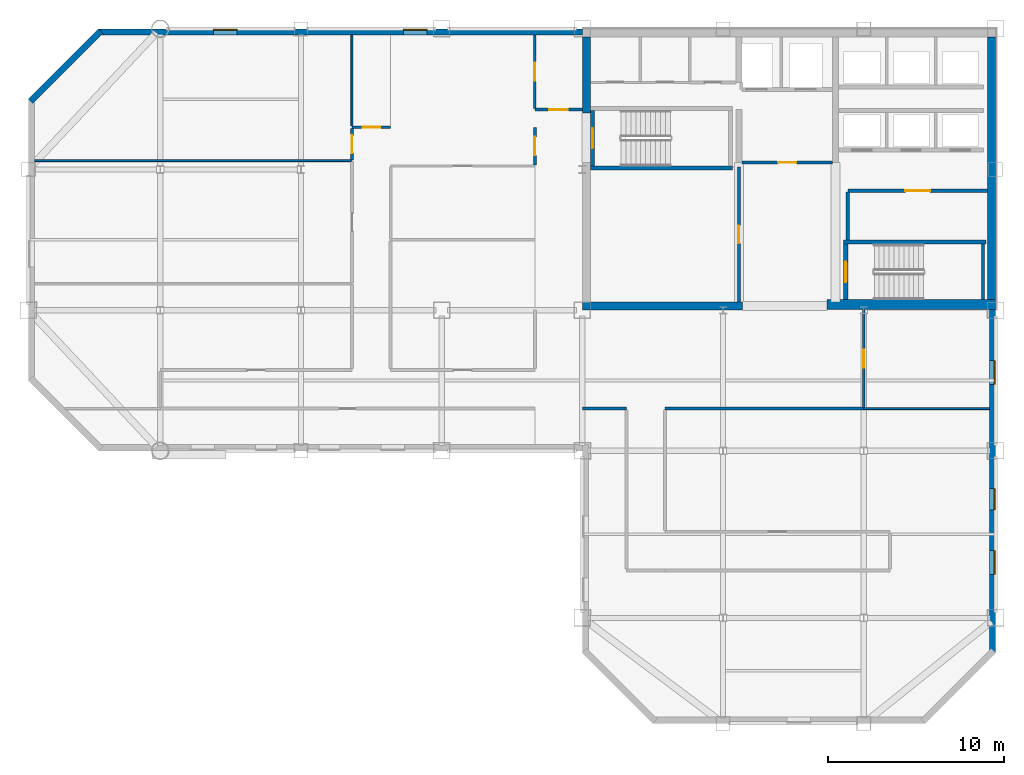
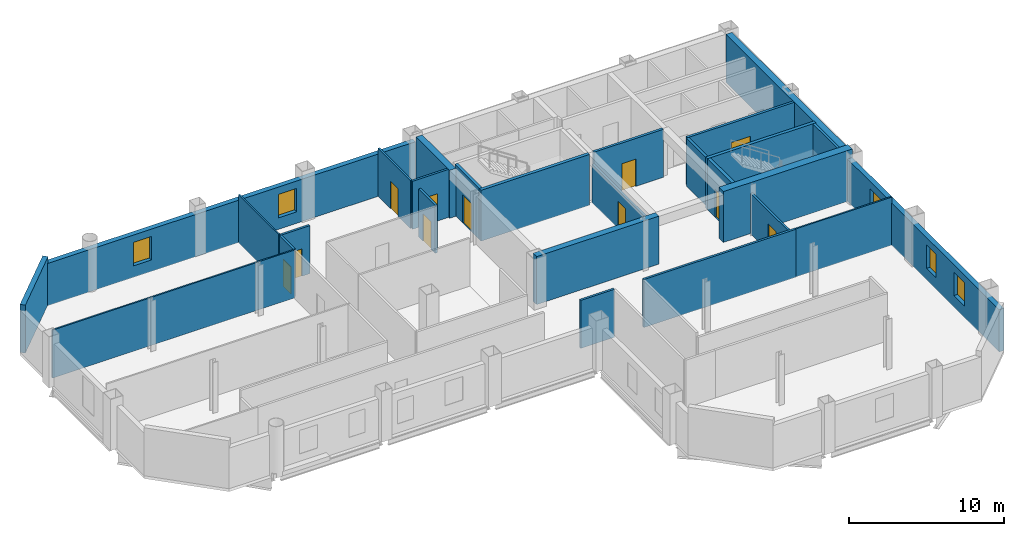
# One storey, part 5 of 10: 27 walls, 11 doors, 5 windows, 16 openings.
"""IFC4 building model written with IfcOpenShell, lengths in metres."""

from ifc_helpers import new_model, si_unit, direction, frame, frame_2d, origin, place, context, subcontext, project, spatial, rectangle, extrude, material, layer, layer_set, type_object, element, fill, save


model = new_model("IFC4")

# Units and contexts
model_context = context("Model", 3, precision=1e-05, world=origin(), true_north=direction((0.0, 1.0)))
body_context = subcontext(model_context, "Body", "Model", "MODEL_VIEW")
ifc_project = project(units=[si_unit("LENGTHUNIT", "METRE"), si_unit("AREAUNIT", "SQUARE_METRE"), si_unit("VOLUMEUNIT", "CUBIC_METRE"), si_unit("PLANEANGLEUNIT", "RADIAN"), si_unit("MASSUNIT", "GRAM", prefix="KILO")], contexts=[model_context])

# Site, building, storey
site_placement = place(None, origin())
site = spatial("IfcSite", under=ifc_project, at=site_placement, CompositionType="ELEMENT")
building_placement = place(site_placement, origin())
building = spatial("IfcBuilding", under=site, at=building_placement, Name="Qianrong Seaharbour Tower", CompositionType="ELEMENT")
storey_placement = place(building_placement, frame((0.0, 0.0, 253.800048828125)))
storey = spatial("IfcBuildingStorey", under=building, at=storey_placement, Name="L61", CompositionType="ELEMENT", Elevation=253.800048828125)

# Walls
ifc_material_1 = material(Name="Concrete C60/75", Category="concrete")
ifc_layer_1 = layer(ifc_material_1, 0.4599609375)
ifc_layer_set_1 = layer_set([ifc_layer_1], Name="Concrete C60/75")
wall_type_1 = type_object("IfcWallType", Name="WALL-CORE-460", PredefinedType="SHEAR", material=ifc_layer_set_1)
wall_1_placement = place(storey_placement, frame((63.77001953125, 36.320068359375, 0.0), z_axis=(0.0, 0.0, 1.0), x_axis=(0.0, 1.0, 0.0)))
element("IfcWall", 1, at=wall_1_placement, inside=storey, type_object=wall_type_1, Name="L61 East Core Shear Wall", PredefinedType="SHEAR", context=body_context, shape_type="SweptSolid", body=[
    extrude(rectangle(XDim=15.219970703125, YDim=0.4599609375, at=frame_2d((7.60986328125, 0.0))), origin(), (0.0, 0.0, 1.0), 3.77490234375),
])
wall_2_placement = place(storey_placement, frame((40.72998046875, 47.199951171875, 0.0), z_axis=(0.0, 0.0, 1.0), x_axis=(0.0, 1.0, 0.0)))
element("IfcWall", 2, at=wall_2_placement, inside=storey, type_object=wall_type_1, Name="L61 West Core Shear Wall North", PredefinedType="SHEAR", context=body_context, shape_type="SweptSolid", body=[
    extrude(rectangle(XDim=4.340087890625, YDim=0.4599609375, at=frame_2d((2.169921875, 0.0))), origin(), (0.0, 0.0, 1.0), 3.77490234375),
])
wall_3_placement = place(storey_placement, frame((40.5, 36.22998046875, 0.0), z_axis=(0.0, 0.0, 1.0), x_axis=(1.0, 0.0, 0.0)))
element("IfcWall", 3, at=wall_3_placement, inside=storey, type_object=wall_type_1, Name="L61 South Core Shear Wall S1", PredefinedType="SHEAR", context=body_context, shape_type="SweptSolid", body=[
    extrude(rectangle(XDim=9.10009765625, YDim=0.4599609375, at=frame_2d((4.550048828125, 0.0))), origin(), (0.0, 0.0, 1.0), 3.77490234375),
])
ifc_material_2 = material(Name="Concrete C70/85", Category="concrete")
ifc_layer_2 = layer(ifc_material_2, 0.580078125)
ifc_layer_set_2 = layer_set([ifc_layer_2], Name="Concrete C70/85")
wall_type_2 = type_object("IfcWallType", Name="WALL-CORE-580", PredefinedType="SHEAR", material=ifc_layer_set_2)
wall_4_placement = place(storey_placement, frame((54.39990234375, 36.320068359375, 0.0), z_axis=(0.0, 0.0, 1.0), x_axis=(1.0, 0.0, 0.0)))
element("IfcWall", 4, at=wall_4_placement, inside=storey, type_object=wall_type_2, Name="L61 South Core Shear Wall S3", PredefinedType="SHEAR", context=body_context, shape_type="SweptSolid", body=[
    extrude(rectangle(XDim=9.60009765625, YDim=0.580078125, at=frame_2d((4.800048828125, 0.0))), origin(), (0.0, 0.0, 1.0), 4.0),
])

# Wall, opening, door
ifc_material_3 = material(Name="Fire-rated acoustic gypsum board partition")
ifc_layer_3 = layer(ifc_material_3, 0.1650390625)
ifc_layer_set_3 = layer_set([ifc_layer_3], Name="Fire-rated acoustic gypsum board partition")
wall_type_3 = type_object("IfcWallType", Name="WALL-CORR-PART-165", PredefinedType="PARTITIONING", material=ifc_layer_set_3)
wall_5_placement = place(storey_placement, frame((37.800048828125, 47.39990234375, 0.0), z_axis=(0.0, 0.0, 1.0), x_axis=(1.0, 0.0, 0.0)))
wall_5 = element("IfcWall", 5, at=wall_5_placement, inside=storey, type_object=wall_type_3, Name="L61 Interior Partition Wall 001", PredefinedType="PARTITIONING", context=body_context, shape_type="SweptSolid", body=[
    extrude(rectangle(XDim=2.699951171875, YDim=0.1650390625, at=frame_2d((1.35009765625, 0.0))), origin(), (0.0, 0.0, 1.0), 3.77490234375),
])
opening_1_placement = place(wall_5_placement, frame((0.824951171875, 0.0, 0.0)))
opening_1 = element("IfcOpeningElement", 6, at=opening_1_placement, cuts=wall_5, Name="Opening DC-01", PredefinedType="OPENING", context=body_context, shape_type="SweptSolid", body=[
    extrude(rectangle(XDim=1.050048828125, YDim=2.14990234375, at=frame_2d((0.52490234375, 1.074951171875))), frame((0.0, 0.092529296875, 0.0), z_axis=(0.0, -1.0, 0.0), x_axis=(1.0, 0.0, 0.0)), (0.0, 0.0, 1.0), 0.18505859375),
])
ifc_material_4 = material(Name="Acoustic timber and galvanized steel fire door assembly", Category="steel")
door_type_1 = type_object("IfcDoorType", Name="DOOR-CORR-FD60-1050x2150", OperationType="NOTDEFINED", PredefinedType="DOOR", material=ifc_material_4)
door_1_placement = place(opening_1_placement, origin())
door_1 = element("IfcDoor", 7, at=door_1_placement, inside=storey, type_object=door_type_1, Name="L61 Smokeproof Stair Vestibule ST-1 Door", OperationType="SINGLE_SWING_RIGHT", OverallHeight=2.14990234375, OverallWidth=1.050048828125, PredefinedType="DOOR", context=body_context, shape_type="SweptSolid", body=[
    extrude(rectangle(XDim=1.050048828125, YDim=2.14990234375, at=frame_2d((0.52490234375, 1.074951171875))), frame((0.0, 0.02490234375, 0.0), z_axis=(0.0, -1.0, 0.0), x_axis=(1.0, 0.0, 0.0)), (0.0, 0.0, 1.0), 0.050048828125),
])
fill(opening_1, door_1)

wall_6_placement = place(storey_placement, frame((37.800048828125, 44.257080078125, 0.0), z_axis=(0.0, 0.0, 1.0), x_axis=(0.0, 1.0, 0.0)))
wall_6 = element("IfcWall", 8, at=wall_6_placement, inside=storey, type_object=wall_type_3, Name="L61 Interior Partition Wall 002", PredefinedType="PARTITIONING", context=body_context, shape_type="SweptSolid", body=[
    extrude(rectangle(XDim=2.142822265625, YDim=0.1650390625, at=frame_2d((1.0712890625, 0.0))), origin(), (0.0, 0.0, 1.0), 3.77490234375),
])
opening_2_placement = place(wall_6_placement, frame((0.54638671875, 0.0, 0.0)))
opening_2 = element("IfcOpeningElement", 9, at=opening_2_placement, cuts=wall_6, Name="Opening DC-01", PredefinedType="OPENING", context=body_context, shape_type="SweptSolid", body=[
    extrude(rectangle(XDim=1.050048828125, YDim=2.14990234375, at=frame_2d((0.52490234375, 1.074951171875))), frame((0.0, 0.092529296875, 0.0), z_axis=(0.0, -1.0, 0.0), x_axis=(1.0, 0.0, 0.0)), (0.0, 0.0, 1.0), 0.18505859375),
])
door_2_placement = place(opening_2_placement, origin())
door_2 = element("IfcDoor", 10, at=door_2_placement, inside=storey, type_object=door_type_1, Name="L61 Smokeproof Stair Vestibule ST-1 Door", OperationType="SINGLE_SWING_LEFT", OverallHeight=2.14990234375, OverallWidth=1.050048828125, PredefinedType="DOOR", context=body_context, shape_type="SweptSolid", body=[
    extrude(rectangle(XDim=1.050048828125, YDim=2.14990234375, at=frame_2d((0.52490234375, 1.074951171875))), frame((0.0, 0.02490234375, 0.0), z_axis=(0.0, -1.0, 0.0), x_axis=(1.0, 0.0, 0.0)), (0.0, 0.0, 1.0), 0.050048828125),
])
fill(opening_2, door_2)

wall_7_placement = place(storey_placement, frame((49.39990234375, 36.4599609375, 0.0), z_axis=(0.0, 0.0, 1.0), x_axis=(0.0, 1.0, 0.0)))
wall_7 = element("IfcWall", 11, at=wall_7_placement, inside=storey, type_object=wall_type_3, Name="L61 Interior Partition Wall 008", PredefinedType="PARTITIONING", context=body_context, shape_type="SweptSolid", body=[
    extrude(rectangle(XDim=7.68994140625, YDim=0.1650390625, at=frame_2d((3.844970703125, 0.0))), origin(), (0.0, 0.0, 1.0), 3.016845703125),
])
opening_3_placement = place(wall_7_placement, frame((3.344970703125, 0.0, 0.0)))
opening_3 = element("IfcOpeningElement", 12, at=opening_3_placement, cuts=wall_7, Name="Opening DO-01", PredefinedType="OPENING", context=body_context, shape_type="SweptSolid", body=[
    extrude(rectangle(XDim=1.0, YDim=2.14990234375, at=frame_2d((0.5, 1.074951171875))), frame((0.0, 0.092529296875, 0.0), z_axis=(0.0, -1.0, 0.0), x_axis=(1.0, 0.0, 0.0)), (0.0, 0.0, 1.0), 0.18505859375),
])
door_type_2 = type_object("IfcDoorType", Name="DOOR-OFFICE-1000x2150", OperationType="NOTDEFINED", PredefinedType="DOOR", material=ifc_material_4)
door_3_placement = place(opening_3_placement, origin())
door_3 = element("IfcDoor", 13, at=door_3_placement, inside=storey, type_object=door_type_2, Name="L61 Data Systems Office Door", OperationType="SINGLE_SWING_RIGHT", OverallHeight=2.14990234375, OverallWidth=1.0, PredefinedType="DOOR", context=body_context, shape_type="SweptSolid", body=[
    extrude(rectangle(XDim=1.0, YDim=2.14990234375, at=frame_2d((0.5, 1.074951171875))), frame((0.0, 0.02490234375, 0.0), z_axis=(0.0, -1.0, 0.0), x_axis=(1.0, 0.0, 0.0)), (0.0, 0.0, 1.0), 0.050048828125),
])
fill(opening_3, door_3)

wall_8_placement = place(storey_placement, frame((27.39990234375, 44.547119140625, 0.0), z_axis=(0.0, 0.0, 1.0), x_axis=(0.0, 1.0, 0.0)))
wall_8 = element("IfcWall", 14, at=wall_8_placement, inside=storey, type_object=wall_type_3, Name="L61 Interior Partition Wall 019", PredefinedType="PARTITIONING", context=body_context, shape_type="SweptSolid", body=[
    extrude(rectangle(XDim=1.7783203125, YDim=0.1650390625, at=frame_2d((0.88916015625, 0.0))), origin(), (0.0, 0.0, 1.0), 3.77490234375),
])
opening_4_placement = place(wall_8_placement, frame((0.38916015625, 0.0, 0.0)))
opening_4 = element("IfcOpeningElement", 15, at=opening_4_placement, cuts=wall_8, Name="Opening DO-01", PredefinedType="OPENING", context=body_context, shape_type="SweptSolid", body=[
    extrude(rectangle(XDim=1.0, YDim=2.14990234375, at=frame_2d((0.5, 1.074951171875))), frame((0.0, 0.092529296875, 0.0), z_axis=(0.0, -1.0, 0.0), x_axis=(1.0, 0.0, 0.0)), (0.0, 0.0, 1.0), 0.18505859375),
])
door_4_placement = place(opening_4_placement, origin())
door_4 = element("IfcDoor", 16, at=door_4_placement, inside=storey, type_object=door_type_2, Name="L61 Case Coordinator Office 3 Door", OperationType="SINGLE_SWING_RIGHT", OverallHeight=2.14990234375, OverallWidth=1.0, PredefinedType="DOOR", context=body_context, shape_type="SweptSolid", body=[
    extrude(rectangle(XDim=1.0, YDim=2.14990234375, at=frame_2d((0.5, 1.074951171875))), frame((0.0, 0.02490234375, 0.0), z_axis=(0.0, -1.0, 0.0), x_axis=(1.0, 0.0, 0.0)), (0.0, 0.0, 1.0), 0.050048828125),
])
fill(opening_4, door_4)

wall_9_placement = place(storey_placement, frame((27.39990234375, 46.39990234375, 0.0), z_axis=(0.0, 0.0, 1.0), x_axis=(1.0, 0.0, 0.0)))
wall_9 = element("IfcWall", 17, at=wall_9_placement, inside=storey, type_object=wall_type_3, Name="L61 Interior Partition Wall 020", PredefinedType="PARTITIONING", context=body_context, shape_type="SweptSolid", body=[
    extrude(rectangle(XDim=2.2001953125, YDim=0.1650390625, at=frame_2d((1.10009765625, 0.0))), origin(), (0.0, 0.0, 1.0), 3.77490234375),
])
opening_5_placement = place(wall_9_placement, frame((0.60009765625, 0.0, 0.0)))
opening_5 = element("IfcOpeningElement", 18, at=opening_5_placement, cuts=wall_9, Name="Opening DO-01", PredefinedType="OPENING", context=body_context, shape_type="SweptSolid", body=[
    extrude(rectangle(XDim=1.0, YDim=2.14990234375, at=frame_2d((0.5, 1.074951171875))), frame((0.0, 0.092529296875, 0.0), z_axis=(0.0, -1.0, 0.0), x_axis=(1.0, 0.0, 0.0)), (0.0, 0.0, 1.0), 0.18505859375),
])
door_5_placement = place(opening_5_placement, origin())
door_5 = element("IfcDoor", 19, at=door_5_placement, inside=storey, type_object=door_type_2, Name="L61 Wellness Exercise Hall Door", OperationType="SINGLE_SWING_LEFT", OverallHeight=2.14990234375, OverallWidth=1.0, PredefinedType="DOOR", context=body_context, shape_type="SweptSolid", body=[
    extrude(rectangle(XDim=1.0, YDim=2.14990234375, at=frame_2d((0.5, 1.074951171875))), frame((0.0, 0.02490234375, 0.0), z_axis=(0.0, -1.0, 0.0), x_axis=(1.0, 0.0, 0.0)), (0.0, 0.0, 1.0), 0.050048828125),
])
fill(opening_5, door_5)

# Walls
wall_10_placement = place(storey_placement, frame((43.0, 30.39990234375, 0.0), z_axis=(0.0, 0.0, 1.0), x_axis=(-1.0, 0.0, 0.0)))
element("IfcWall", 20, at=wall_10_placement, inside=storey, type_object=wall_type_3, Name="L61 Interior Partition Wall 024", PredefinedType="PARTITIONING", context=body_context, shape_type="SweptSolid", body=[
    extrude(rectangle(XDim=2.5, YDim=0.1650390625, at=frame_2d((1.25, 0.0))), origin(), (0.0, 0.0, 1.0), 3.77490234375),
])
wall_11_placement = place(storey_placement, frame((56.5, 30.39990234375, 0.0), z_axis=(0.0, 0.0, 1.0), x_axis=(-1.0, 0.0, 0.0)))
element("IfcWall", 21, at=wall_11_placement, inside=storey, type_object=wall_type_3, Name="L61 Interior Partition Wall 025", PredefinedType="PARTITIONING", context=body_context, shape_type="SweptSolid", body=[
    extrude(rectangle(XDim=11.300048828125, YDim=0.1650390625, at=frame_2d((5.64990234375, 0.0))), origin(), (0.0, 0.0, 1.0), 3.77490234375),
])

# Wall, opening, door
wall_12_placement = place(storey_placement, frame((56.5, 36.0, 0.0), z_axis=(0.0, 0.0, 1.0), x_axis=(0.0, -1.0, 0.0)))
wall_12 = element("IfcWall", 22, at=wall_12_placement, inside=storey, type_object=wall_type_3, Name="L61 Interior Partition Wall 026", PredefinedType="PARTITIONING", context=body_context, shape_type="SweptSolid", body=[
    extrude(rectangle(XDim=5.525390625, YDim=0.1650390625, at=frame_2d((2.7626953125, 0.0))), origin(), (0.0, 0.0, 1.0), 3.178955078125),
])
opening_6_placement = place(wall_12_placement, frame((2.2626953125, 0.0, 0.0)))
opening_6 = element("IfcOpeningElement", 23, at=opening_6_placement, cuts=wall_12, Name="Opening DO-01", PredefinedType="OPENING", context=body_context, shape_type="SweptSolid", body=[
    extrude(rectangle(XDim=1.0, YDim=2.14990234375, at=frame_2d((0.5, 1.074951171875))), frame((0.0, 0.092529296875, 0.0), z_axis=(0.0, -1.0, 0.0), x_axis=(1.0, 0.0, 0.0)), (0.0, 0.0, 1.0), 0.18505859375),
])
door_6_placement = place(opening_6_placement, origin())
door_6 = element("IfcDoor", 24, at=door_6_placement, inside=storey, type_object=door_type_2, Name="L61 Health Director Office 2 Door", OperationType="SINGLE_SWING_LEFT", OverallHeight=2.14990234375, OverallWidth=1.0, PredefinedType="DOOR", context=body_context, shape_type="SweptSolid", body=[
    extrude(rectangle(XDim=1.0, YDim=2.14990234375, at=frame_2d((0.5, 1.074951171875))), frame((0.0, 0.02490234375, 0.0), z_axis=(0.0, -1.0, 0.0), x_axis=(1.0, 0.0, 0.0)), (0.0, 0.0, 1.0), 0.050048828125),
])
fill(opening_6, door_6)

# Walls
ifc_material_5 = material(Name="Demountable aluminium-framed acoustic office partition", Category="aluminium")
ifc_layer_4 = layer(ifc_material_5, 0.110107421875)
ifc_layer_set_4 = layer_set([ifc_layer_4], Name="Demountable aluminium-framed acoustic office partition")
wall_type_4 = type_object("IfcWallType", Name="WALL-DEMOUNT-110", PredefinedType="MOVABLE", material=ifc_layer_set_4)
wall_13_placement = place(storey_placement, frame((56.5, 30.39990234375, 0.0), z_axis=(0.0, 0.0, 1.0), x_axis=(1.0, 0.0, 0.0)))
element("IfcWall", 25, at=wall_13_placement, inside=storey, type_object=wall_type_4, Name="L61 Interior Partition Wall 034", PredefinedType="MOVABLE", context=body_context, shape_type="SweptSolid", body=[
    extrude(rectangle(XDim=7.14794921875, YDim=0.110107421875, at=frame_2d((3.573974609375, 0.0))), origin(), (0.0, 0.0, 1.0), 3.77490234375),
])
wall_14_placement = place(storey_placement, frame((9.35205078125, 44.5, 0.0), z_axis=(0.0, 0.0, 1.0), x_axis=(1.0, 0.0, 0.0)))
element("IfcWall", 26, at=wall_14_placement, inside=storey, type_object=wall_type_4, Name="L61 Interior Partition Wall 037", PredefinedType="MOVABLE", context=body_context, shape_type="SweptSolid", body=[
    extrude(rectangle(XDim=18.0478515625, YDim=0.110107421875, at=frame_2d((9.02392578125, 0.0))), origin(), (0.0, 0.0, 1.0), 3.77490234375),
])
wall_15_placement = place(storey_placement, frame((27.39990234375, 51.64794921875, 0.0), z_axis=(0.0, 0.0, 1.0), x_axis=(0.0, -1.0, 0.0)))
element("IfcWall", 27, at=wall_15_placement, inside=storey, type_object=wall_type_4, Name="L61 Interior Partition Wall 038", PredefinedType="MOVABLE", context=body_context, shape_type="SweptSolid", body=[
    extrude(rectangle(XDim=5.17333984375, YDim=0.110107421875, at=frame_2d((2.586669921875, 0.0))), origin(), (0.0, 0.0, 1.0), 3.77490234375),
])
ifc_material_6 = material(Name="Unitised red brick on Precast concrete C45/55", Category="masonry")
ifc_layer_5 = layer(ifc_material_6, 0.360107421875)
ifc_layer_set_5 = layer_set([ifc_layer_5], Name="Unitised red brick on Precast concrete C45/55")
wall_type_5 = type_object("IfcWallType", Name="WALL-EXT-BRICK-RED-360", PredefinedType="SOLIDWALL", material=ifc_layer_set_5)
wall_16_placement = place(storey_placement, frame((9.127197265625, 47.872802734375, 0.0), z_axis=(0.0, 0.0, 1.0), x_axis=(0.707106781187, 0.707106781187, 0.0)))
element("IfcWall", 28, at=wall_16_placement, inside=storey, type_object=wall_type_5, Name="L61 Exterior Masonry Facade Wall E04", PredefinedType="SOLIDWALL", context=body_context, shape_type="SweptSolid", body=[
    extrude(rectangle(XDim=5.65673828125, YDim=0.360107421875, at=frame_2d((2.828369140625, 0.0))), origin(), (0.0, 0.0, 1.0), 3.77490234375),
])

# Wall, openings, windows
wall_17_placement = place(storey_placement, frame((13.0, 51.820068359375, 0.0), z_axis=(0.0, 0.0, 1.0), x_axis=(1.0, 0.0, 0.0)))
wall_17 = element("IfcWall", 29, at=wall_17_placement, inside=storey, type_object=wall_type_5, Name="L61 Exterior Masonry Facade Wall NORTH_WING", PredefinedType="SOLIDWALL", context=body_context, shape_type="SweptSolid", body=[
    extrude(rectangle(XDim=27.52001953125, YDim=0.360107421875, at=frame_2d((13.760009765625, 0.0))), origin(), (0.0, 0.0, 1.0), 3.324951171875),
])
opening_7_placement = place(wall_17_placement, frame((6.52490234375, 0.0, 0.89990234375)))
opening_7 = element("IfcOpeningElement", 30, at=opening_7_placement, cuts=wall_17, Name="Opening WN-02", PredefinedType="OPENING", context=body_context, shape_type="SweptSolid", body=[
    extrude(rectangle(XDim=1.35009765625, YDim=1.85009765625, at=frame_2d((0.675048828125, 0.925048828125))), frame((0.0, 0.18994140625, 0.0), z_axis=(0.0, -1.0, 0.0), x_axis=(1.0, 0.0, 0.0)), (0.0, 0.0, 1.0), 0.380126953125),
])
opening_8_placement = place(wall_17_placement, frame((17.324951171875, 0.0, 0.89990234375)))
opening_8 = element("IfcOpeningElement", 31, at=opening_8_placement, cuts=wall_17, Name="Opening WN-02", PredefinedType="OPENING", context=body_context, shape_type="SweptSolid", body=[
    extrude(rectangle(XDim=1.35009765625, YDim=1.85009765625, at=frame_2d((0.675048828125, 0.925048828125))), frame((0.0, 0.18994140625, 0.0), z_axis=(0.0, -1.0, 0.0), x_axis=(1.0, 0.0, 0.0)), (0.0, 0.0, 1.0), 0.380126953125),
])
ifc_material_7 = material(Name="Insulated low-e double glazing in thermally broken aluminium 6063-T6 frame", Category="aluminium")
window_type_1 = type_object("IfcWindowType", Name="WIN-PUNCH-1350x1850", PartitioningType="DOUBLE_PANEL_VERTICAL", PredefinedType="WINDOW", material=ifc_material_7)
window_1_placement = place(opening_7_placement, origin())
window_1 = element("IfcWindow", 32, at=window_1_placement, inside=storey, type_object=window_type_1, Name="L61 Deep-Set Punched Window 05.02", OverallHeight=1.85009765625, OverallWidth=1.35009765625, PartitioningType="DOUBLE_PANEL_VERTICAL", PredefinedType="WINDOW", context=body_context, shape_type="SweptSolid", body=[
    extrude(rectangle(XDim=1.35009765625, YDim=1.85009765625, at=frame_2d((0.675048828125, 0.925048828125))), frame((0.0, 0.150146484375, 0.0), z_axis=(0.0, -1.0, 0.0), x_axis=(1.0, 0.0, 0.0)), (0.0, 0.0, 1.0), 0.06005859375),
])
fill(opening_7, window_1)
window_2_placement = place(opening_8_placement, origin())
window_2 = element("IfcWindow", 33, at=window_2_placement, inside=storey, type_object=window_type_1, Name="L61 Deep-Set Punched Window 05.05", OverallHeight=1.85009765625, OverallWidth=1.35009765625, PartitioningType="DOUBLE_PANEL_VERTICAL", PredefinedType="WINDOW", context=body_context, shape_type="SweptSolid", body=[
    extrude(rectangle(XDim=1.35009765625, YDim=1.85009765625, at=frame_2d((0.675048828125, 0.925048828125))), frame((0.0, 0.150146484375, 0.0), z_axis=(0.0, -1.0, 0.0), x_axis=(1.0, 0.0, 0.0)), (0.0, 0.0, 1.0), 0.06005859375),
])
fill(opening_8, window_2)

wall_18_placement = place(storey_placement, frame((63.820068359375, 36.050048828125, 0.0), z_axis=(0.0, 0.0, 1.0), x_axis=(0.0, -1.0, 0.0)))
wall_18 = element("IfcWall", 34, at=wall_18_placement, inside=storey, type_object=wall_type_5, Name="L61 Exterior Masonry Facade Wall EAST_WING", PredefinedType="SOLIDWALL", context=body_context, shape_type="SweptSolid", body=[
    extrude(rectangle(XDim=19.550048828125, YDim=0.360107421875, at=frame_2d((9.77490234375, 0.0))), origin(), (0.0, 0.0, 1.0), 3.324951171875),
])
opening_9_placement = place(wall_18_placement, frame((2.925048828125, 0.0, 0.89990234375)))
opening_9 = element("IfcOpeningElement", 35, at=opening_9_placement, cuts=wall_18, Name="Opening WN-02", PredefinedType="OPENING", context=body_context, shape_type="SweptSolid", body=[
    extrude(rectangle(XDim=1.35009765625, YDim=1.85009765625, at=frame_2d((0.675048828125, 0.925048828125))), frame((0.0, 0.18994140625, 0.0), z_axis=(0.0, -1.0, 0.0), x_axis=(1.0, 0.0, 0.0)), (0.0, 0.0, 1.0), 0.380126953125),
])
opening_10_placement = place(wall_18_placement, frame((10.199951171875, 0.0, 0.89990234375)))
opening_10 = element("IfcOpeningElement", 36, at=opening_10_placement, cuts=wall_18, Name="Opening WN-01", PredefinedType="OPENING", context=body_context, shape_type="SweptSolid", body=[
    extrude(rectangle(XDim=1.199951171875, YDim=1.85009765625, at=frame_2d((0.60009765625, 0.925048828125))), frame((0.0, 0.18994140625, 0.0), z_axis=(0.0, -1.0, 0.0), x_axis=(1.0, 0.0, 0.0)), (0.0, 0.0, 1.0), 0.380126953125),
])
opening_11_placement = place(wall_18_placement, frame((13.72509765625, 0.0, 0.89990234375)))
opening_11 = element("IfcOpeningElement", 37, at=opening_11_placement, cuts=wall_18, Name="Opening WN-02", PredefinedType="OPENING", context=body_context, shape_type="SweptSolid", body=[
    extrude(rectangle(XDim=1.35009765625, YDim=1.85009765625, at=frame_2d((0.675048828125, 0.925048828125))), frame((0.0, 0.18994140625, 0.0), z_axis=(0.0, -1.0, 0.0), x_axis=(1.0, 0.0, 0.0)), (0.0, 0.0, 1.0), 0.380126953125),
])
window_type_2 = type_object("IfcWindowType", Name="WIN-PUNCH-1200x1850", PartitioningType="DOUBLE_PANEL_VERTICAL", PredefinedType="WINDOW", material=ifc_material_7)
window_3_placement = place(opening_10_placement, origin())
window_3 = element("IfcWindow", 38, at=window_3_placement, inside=storey, type_object=window_type_2, Name="L61 Deep-Set Punched Window 06.03", OverallHeight=1.85009765625, OverallWidth=1.199951171875, PartitioningType="DOUBLE_PANEL_VERTICAL", PredefinedType="WINDOW", context=body_context, shape_type="SweptSolid", body=[
    extrude(rectangle(XDim=1.199951171875, YDim=1.85009765625, at=frame_2d((0.60009765625, 0.925048828125))), frame((0.0, 0.150146484375, 0.0), z_axis=(0.0, -1.0, 0.0), x_axis=(1.0, 0.0, 0.0)), (0.0, 0.0, 1.0), 0.06005859375),
])
fill(opening_10, window_3)
window_4_placement = place(opening_9_placement, origin())
window_4 = element("IfcWindow", 39, at=window_4_placement, inside=storey, type_object=window_type_1, Name="L61 Deep-Set Punched Window 06.01", OverallHeight=1.85009765625, OverallWidth=1.35009765625, PartitioningType="DOUBLE_PANEL_VERTICAL", PredefinedType="WINDOW", context=body_context, shape_type="SweptSolid", body=[
    extrude(rectangle(XDim=1.35009765625, YDim=1.85009765625, at=frame_2d((0.675048828125, 0.925048828125))), frame((0.0, 0.150146484375, 0.0), z_axis=(0.0, -1.0, 0.0), x_axis=(1.0, 0.0, 0.0)), (0.0, 0.0, 1.0), 0.06005859375),
])
fill(opening_9, window_4)
window_5_placement = place(opening_11_placement, origin())
window_5 = element("IfcWindow", 40, at=window_5_placement, inside=storey, type_object=window_type_1, Name="L61 Deep-Set Punched Window 06.04", OverallHeight=1.85009765625, OverallWidth=1.35009765625, PartitioningType="DOUBLE_PANEL_VERTICAL", PredefinedType="WINDOW", context=body_context, shape_type="SweptSolid", body=[
    extrude(rectangle(XDim=1.35009765625, YDim=1.85009765625, at=frame_2d((0.675048828125, 0.925048828125))), frame((0.0, 0.150146484375, 0.0), z_axis=(0.0, -1.0, 0.0), x_axis=(1.0, 0.0, 0.0)), (0.0, 0.0, 1.0), 0.06005859375),
])
fill(opening_11, window_5)

# Wall, opening, door
ifc_material_8 = material(Name="Double fire-rated gypsum board acoustic partition")
ifc_layer_6 = layer(ifc_material_8, 0.18994140625)
ifc_layer_set_6 = layer_set([ifc_layer_6], Name="Double fire-rated gypsum board acoustic partition")
wall_type_6 = type_object("IfcWallType", Name="WALL-FIRE-PART-190", PredefinedType="PARTITIONING", material=ifc_layer_set_6)
wall_19_placement = place(storey_placement, frame((54.73291015625, 44.39990234375, 0.0), z_axis=(0.0, 0.0, 1.0), x_axis=(-1.0, 0.0, 0.0)))
wall_19 = element("IfcWall", 41, at=wall_19_placement, inside=storey, type_object=wall_type_6, Name="L61 Interior Partition Wall 007", PredefinedType="PARTITIONING", context=body_context, shape_type="SweptSolid", body=[
    extrude(rectangle(XDim=5.166015625, YDim=0.18994140625, at=frame_2d((2.5830078125, 0.0))), origin(), (0.0, 0.0, 1.0), 3.77490234375),
])
opening_12_placement = place(wall_19_placement, frame((2.05810546875, 0.0, 0.0)))
opening_12 = element("IfcOpeningElement", 42, at=opening_12_placement, cuts=wall_19, Name="Opening DC-01", PredefinedType="OPENING", context=body_context, shape_type="SweptSolid", body=[
    extrude(rectangle(XDim=1.050048828125, YDim=2.14990234375, at=frame_2d((0.52490234375, 1.074951171875))), frame((0.0, 0.10498046875, 0.0), z_axis=(0.0, -1.0, 0.0), x_axis=(1.0, 0.0, 0.0)), (0.0, 0.0, 1.0), 0.2099609375),
])
door_7_placement = place(opening_12_placement, origin())
door_7 = element("IfcDoor", 43, at=door_7_placement, inside=storey, type_object=door_type_1, Name="L61 Firefighting Lift Lobby Door", OperationType="SINGLE_SWING_LEFT", OverallHeight=2.14990234375, OverallWidth=1.050048828125, PredefinedType="DOOR", context=body_context, shape_type="SweptSolid", body=[
    extrude(rectangle(XDim=1.050048828125, YDim=2.14990234375, at=frame_2d((0.52490234375, 1.074951171875))), frame((0.0, 0.02490234375, 0.0), z_axis=(0.0, -1.0, 0.0), x_axis=(1.0, 0.0, 0.0)), (0.0, 0.0, 1.0), 0.050048828125),
])
fill(opening_12, door_7)

# Wall
wall_20_placement = place(storey_placement, frame((55.60009765625, 42.712890625, 0.0), z_axis=(0.0, 0.0, 1.0), x_axis=(0.0, -1.0, 0.0)))
element("IfcWall", 44, at=wall_20_placement, inside=storey, type_object=wall_type_6, Name="L61 Interior Partition Wall 009", PredefinedType="PARTITIONING", context=body_context, shape_type="SweptSolid", body=[
    extrude(rectangle(XDim=2.73095703125, YDim=0.18994140625, at=frame_2d((1.365478515625, 0.0))), origin(), (0.0, 0.0, 1.0), 3.77490234375),
])

# Wall, opening, door
wall_21_placement = place(storey_placement, frame((63.5400390625, 42.800048828125, 0.0), z_axis=(0.0, 0.0, 1.0), x_axis=(-1.0, 0.0, 0.0)))
wall_21 = element("IfcWall", 45, at=wall_21_placement, inside=storey, type_object=wall_type_6, Name="L61 Interior Partition Wall 010", PredefinedType="PARTITIONING", context=body_context, shape_type="SweptSolid", body=[
    extrude(rectangle(XDim=7.93994140625, YDim=0.18994140625, at=frame_2d((3.969970703125, 0.0))), origin(), (0.0, 0.0, 1.0), 3.77490234375),
])
opening_13_placement = place(wall_21_placement, frame((3.27001953125, 0.0, 0.0)))
opening_13 = element("IfcOpeningElement", 46, at=opening_13_placement, cuts=wall_21, Name="Opening DP-01", PredefinedType="OPENING", context=body_context, shape_type="SweptSolid", body=[
    extrude(rectangle(XDim=1.39990234375, YDim=2.25, at=frame_2d((0.699951171875, 1.125))), frame((0.0, 0.10498046875, 0.0), z_axis=(0.0, -1.0, 0.0), x_axis=(1.0, 0.0, 0.0)), (0.0, 0.0, 1.0), 0.2099609375),
])
door_type_3 = type_object("IfcDoorType", Name="DOOR-PLANT-PAIR-1400x2250", OperationType="DOUBLE_DOOR_SINGLE_SWING", PredefinedType="DOOR", material=ifc_material_4)
door_8_placement = place(opening_13_placement, origin())
door_8 = element("IfcDoor", 47, at=door_8_placement, inside=storey, type_object=door_type_3, Name="L61 Core Telecom Hub Room Door", OperationType="DOUBLE_DOOR_SINGLE_SWING", OverallHeight=2.25, OverallWidth=1.39990234375, PredefinedType="DOOR", context=body_context, shape_type="SweptSolid", body=[
    extrude(rectangle(XDim=1.39990234375, YDim=2.25, at=frame_2d((0.699951171875, 1.125))), frame((0.0, 0.02490234375, 0.0), z_axis=(0.0, -1.0, 0.0), x_axis=(1.0, 0.0, 0.0)), (0.0, 0.0, 1.0), 0.050048828125),
])
fill(opening_13, door_8)

# Wall
ifc_material_9 = material(Name="Concrete C50/60", Category="concrete")
ifc_layer_7 = layer(ifc_material_9, 0.239990234375)
ifc_layer_set_7 = layer_set([ifc_layer_7], Name="Concrete C50/60")
wall_type_7 = type_object("IfcWallType", Name="WALL-SHAFT-RC240", PredefinedType="SOLIDWALL", material=ifc_layer_set_7)
wall_22_placement = place(storey_placement, frame((49.0400390625, 44.080078125, 0.0), z_axis=(0.0, 0.0, 1.0), x_axis=(-1.0, 0.0, 0.0)))
element("IfcWall", 48, at=wall_22_placement, inside=storey, type_object=wall_type_7, Name="L61 ST-1 Structural Stair Core Wall S", PredefinedType="SOLIDWALL", context=body_context, shape_type="SweptSolid", body=[
    extrude(rectangle(XDim=8.080078125, YDim=0.239990234375, at=frame_2d((4.0400390625, 0.0))), origin(), (0.0, 0.0, 1.0), 4.0),
])

# Wall, opening, door
wall_23_placement = place(storey_placement, frame((41.080078125, 47.35009765625, 0.0), z_axis=(0.0, 0.0, 1.0), x_axis=(0.0, -1.0, 0.0)))
wall_23 = element("IfcWall", 49, at=wall_23_placement, inside=storey, type_object=wall_type_7, Name="L61 ST-1 Structural Stair Core Wall W", PredefinedType="SOLIDWALL", context=body_context, shape_type="SweptSolid", body=[
    extrude(rectangle(XDim=3.150146484375, YDim=0.239990234375, at=frame_2d((1.5751953125, 0.0))), origin(), (0.0, 0.0, 1.0), 4.0),
])
opening_14_placement = place(wall_23_placement, frame((1.0, 0.0, 0.0)))
opening_14 = element("IfcOpeningElement", 50, at=opening_14_placement, cuts=wall_23, Name="Opening SD-01", PredefinedType="OPENING", context=body_context, shape_type="SweptSolid", body=[
    extrude(rectangle(XDim=1.14990234375, YDim=2.199951171875, at=frame_2d((0.574951171875, 1.10009765625))), frame((0.0, 0.1298828125, 0.0), z_axis=(0.0, -1.0, 0.0), x_axis=(1.0, 0.0, 0.0)), (0.0, 0.0, 1.0), 0.260009765625),
])
door_type_4 = type_object("IfcDoorType", Name="DOOR-STAIR-FD60-1150x2200", OperationType="NOTDEFINED", PredefinedType="DOOR", material=ifc_material_4)
door_9_placement = place(opening_14_placement, origin())
door_9 = element("IfcDoor", 51, at=door_9_placement, inside=storey, type_object=door_type_4, Name="L61 ST-1 Protected Stair Door", OperationType="SINGLE_SWING_RIGHT", OverallHeight=2.199951171875, OverallWidth=1.14990234375, PredefinedType="DOOR", context=body_context, shape_type="SweptSolid", body=[
    extrude(rectangle(XDim=1.14990234375, YDim=2.199951171875, at=frame_2d((0.574951171875, 1.10009765625))), frame((0.0, 0.02490234375, 0.0), z_axis=(0.0, -1.0, 0.0), x_axis=(1.0, 0.0, 0.0)), (0.0, 0.0, 1.0), 0.050048828125),
])
fill(opening_14, door_9)

# Wall
wall_24_placement = place(storey_placement, frame((55.360107421875, 39.8701171875, 0.0), z_axis=(0.0, 0.0, 1.0), x_axis=(1.0, 0.0, 0.0)))
element("IfcWall", 52, at=wall_24_placement, inside=storey, type_object=wall_type_7, Name="L61 ST-2 Structural Stair Core Wall N", PredefinedType="SOLIDWALL", context=body_context, shape_type="SweptSolid", body=[
    extrude(rectangle(XDim=8.079833984375, YDim=0.239990234375, at=frame_2d((4.0400390625, 0.0))), origin(), (0.0, 0.0, 1.0), 4.0),
])

# Wall, opening, door
wall_25_placement = place(storey_placement, frame((55.47998046875, 39.75, 0.0), z_axis=(0.0, 0.0, 1.0), x_axis=(0.0, -1.0, 0.0)))
wall_25 = element("IfcWall", 53, at=wall_25_placement, inside=storey, type_object=wall_type_7, Name="L61 ST-2 Structural Stair Core Wall W", PredefinedType="SOLIDWALL", context=body_context, shape_type="SweptSolid", body=[
    extrude(rectangle(XDim=3.14990234375, YDim=0.239990234375, at=frame_2d((1.574951171875, 0.0))), origin(), (0.0, 0.0, 1.0), 4.0),
])
opening_15_placement = place(wall_25_placement, frame((1.0, 0.0, 0.0)))
opening_15 = element("IfcOpeningElement", 54, at=opening_15_placement, cuts=wall_25, Name="Opening SD-01", PredefinedType="OPENING", context=body_context, shape_type="SweptSolid", body=[
    extrude(rectangle(XDim=1.14990234375, YDim=2.199951171875, at=frame_2d((0.574951171875, 1.10009765625))), frame((0.0, 0.1298828125, 0.0), z_axis=(0.0, -1.0, 0.0), x_axis=(1.0, 0.0, 0.0)), (0.0, 0.0, 1.0), 0.260009765625),
])
door_10_placement = place(opening_15_placement, origin())
door_10 = element("IfcDoor", 55, at=door_10_placement, inside=storey, type_object=door_type_4, Name="L61 ST-2 Protected Stair Door", OperationType="SINGLE_SWING_RIGHT", OverallHeight=2.199951171875, OverallWidth=1.14990234375, PredefinedType="DOOR", context=body_context, shape_type="SweptSolid", body=[
    extrude(rectangle(XDim=1.14990234375, YDim=2.199951171875, at=frame_2d((0.574951171875, 1.10009765625))), frame((0.0, 0.02490234375, 0.0), z_axis=(0.0, -1.0, 0.0), x_axis=(1.0, 0.0, 0.0)), (0.0, 0.0, 1.0), 0.050048828125),
])
fill(opening_15, door_10)

# Wall
wall_26_placement = place(storey_placement, frame((63.2900390625, 36.60009765625, 0.0), z_axis=(0.0, 0.0, 1.0), x_axis=(0.0, 1.0, 0.0)))
element("IfcWall", 56, at=wall_26_placement, inside=storey, type_object=wall_type_7, Name="L61 ST-2 Structural Stair Core Wall E", PredefinedType="SOLIDWALL", context=body_context, shape_type="SweptSolid", body=[
    extrude(rectangle(XDim=3.14990234375, YDim=0.179931640625, at=frame_2d((1.574951171875, 0.0))), origin(), (0.0, 0.0, 1.0), 4.0),
])

# Wall, opening, door
ifc_material_10 = material(Name="Water-resistant cement board sanitary partition")
ifc_layer_8 = layer(ifc_material_10, 0.1298828125)
ifc_layer_set_8 = layer_set([ifc_layer_8], Name="Water-resistant cement board sanitary partition")
wall_type_8 = type_object("IfcWallType", Name="WALL-WET-PART-130", PredefinedType="PARTITIONING", material=ifc_layer_set_8)
wall_27_placement = place(storey_placement, frame((37.800048828125, 47.474609375, 0.0), z_axis=(0.0, 0.0, 1.0), x_axis=(0.0, 1.0, 0.0)))
wall_27 = element("IfcWall", 57, at=wall_27_placement, inside=storey, type_object=wall_type_8, Name="L61 Interior Partition Wall 003", PredefinedType="PARTITIONING", context=body_context, shape_type="SweptSolid", body=[
    extrude(rectangle(XDim=4.17333984375, YDim=0.1298828125, at=frame_2d((2.086669921875, 0.0))), origin(), (0.0, 0.0, 1.0), 3.77490234375),
])
opening_16_placement = place(wall_27_placement, frame((1.57666015625, 0.0, 0.0)))
opening_16 = element("IfcOpeningElement", 58, at=opening_16_placement, cuts=wall_27, Name="Opening DAW-01", PredefinedType="OPENING", context=body_context, shape_type="SweptSolid", body=[
    extrude(rectangle(XDim=1.02001953125, YDim=2.14990234375, at=frame_2d((0.510009765625, 1.074951171875))), frame((0.0, 0.074951171875, 0.0), z_axis=(0.0, -1.0, 0.0), x_axis=(1.0, 0.0, 0.0)), (0.0, 0.0, 1.0), 0.14990234375),
])
door_type_5 = type_object("IfcDoorType", Name="DOOR-AWC-SLIDE-1020x2150", OperationType="SLIDING_TO_LEFT", PredefinedType="DOOR", material=ifc_material_4)
door_11_placement = place(opening_16_placement, origin())
door_11 = element("IfcDoor", 59, at=door_11_placement, inside=storey, type_object=door_type_5, Name="L61 Accessible Restroom WC Door", OperationType="SLIDING_TO_LEFT", OverallHeight=2.14990234375, OverallWidth=1.02001953125, PredefinedType="DOOR", context=body_context, shape_type="SweptSolid", body=[
    extrude(rectangle(XDim=1.02001953125, YDim=2.14990234375, at=frame_2d((0.510009765625, 1.074951171875))), frame((0.0, 0.02490234375, 0.0), z_axis=(0.0, -1.0, 0.0), x_axis=(1.0, 0.0, 0.0)), (0.0, 0.0, 1.0), 0.050048828125),
])
fill(opening_16, door_11)

save(model, "model.ifc")
